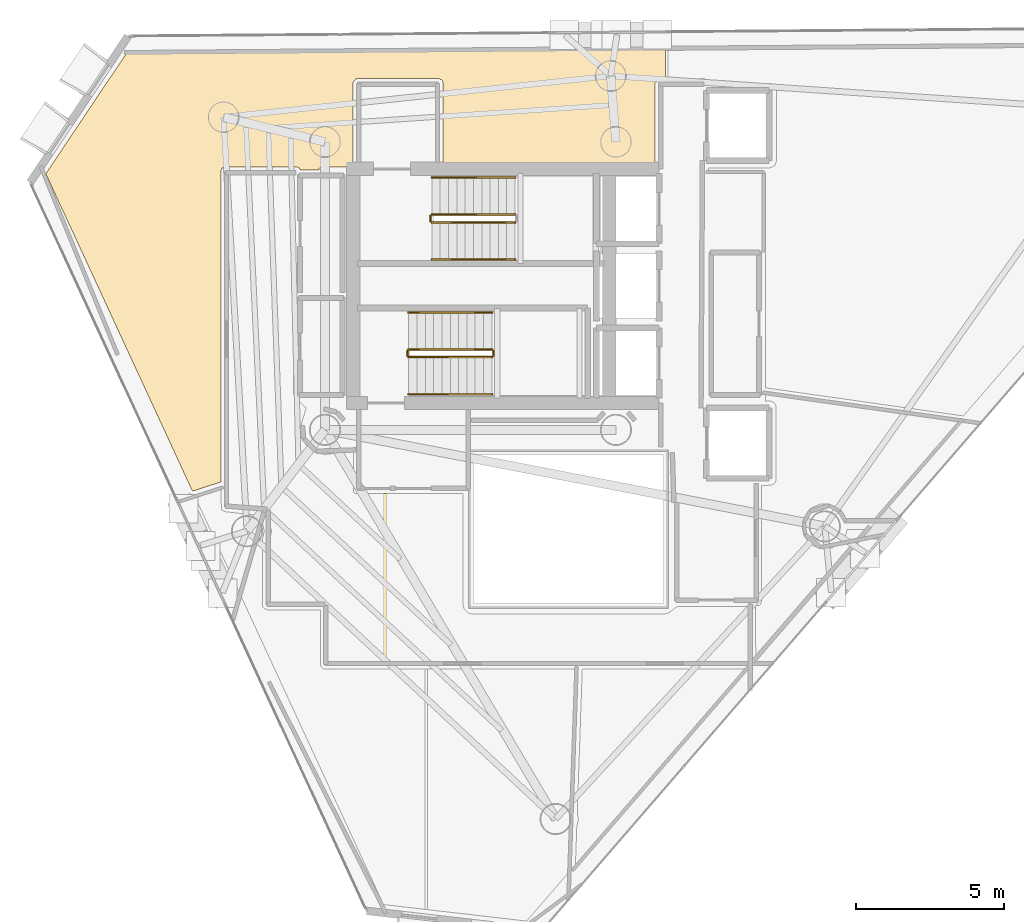
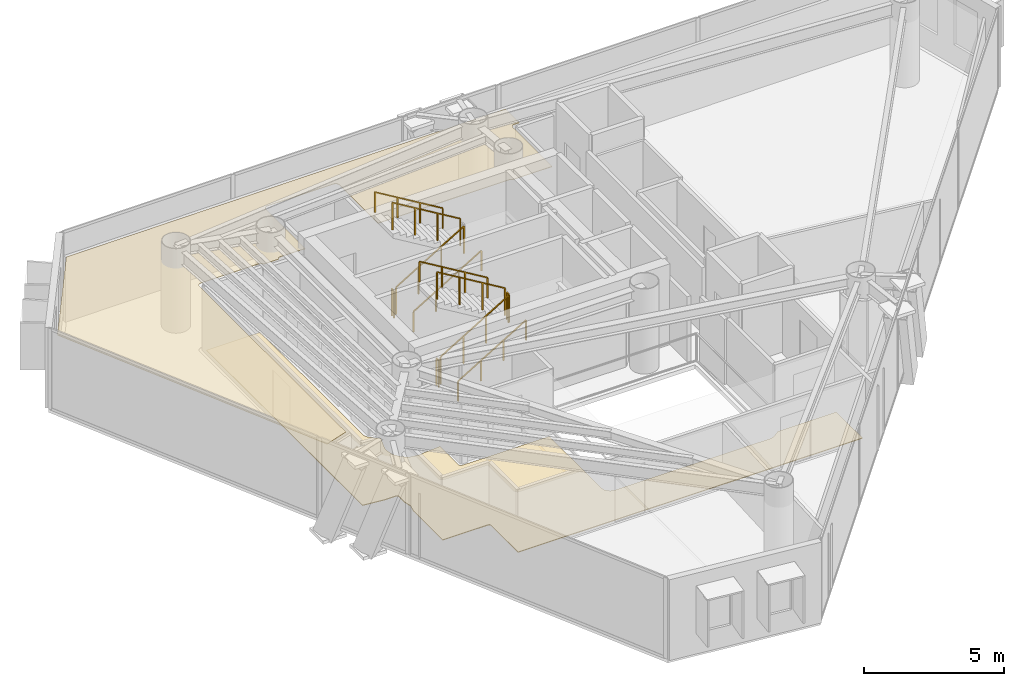
# One storey, part 19 of 21: 11 railings, 2 coverings.
"""IFC4 building model written with IfcOpenShell, lengths in metres."""

from ifc_helpers import new_model, si_unit, direction, frame, origin, origin_2d, place, context, subcontext, project, spatial, polyline, rectangle, outline, extrude, material, layer, layer_set, type_object, element, save


model = new_model("IFC4")

# Units and contexts
model_context = context("Model", 3, precision=1e-05, world=origin(), true_north=direction((0.0, 1.0)))
body_context = subcontext(model_context, "Body", "Model", "MODEL_VIEW")
ifc_project = project(units=[si_unit("LENGTHUNIT", "METRE"), si_unit("AREAUNIT", "SQUARE_METRE"), si_unit("VOLUMEUNIT", "CUBIC_METRE"), si_unit("PLANEANGLEUNIT", "RADIAN"), si_unit("MASSUNIT", "GRAM", prefix="KILO")], contexts=[model_context])

# Site, building, storey
site_placement = place(None, origin())
site = spatial("IfcSite", under=ifc_project, at=site_placement, CompositionType="ELEMENT")
building_placement = place(site_placement, origin())
building = spatial("IfcBuilding", under=site, at=building_placement, Name="Qianvela Tower", CompositionType="ELEMENT")
storey_placement = place(building_placement, frame((0.0, 0.0, 253.800048828125)))
storey = spatial("IfcBuildingStorey", under=building, at=storey_placement, Name="L65", CompositionType="ELEMENT", Elevation=253.800048828125)

# Coverings
ifc_material_1 = material(Name="Perforated Mineral Acoustic Ceiling Tile")
ifc_layer_1 = layer(ifc_material_1, 0.02490234375)
ifc_layer_set_1 = layer_set([ifc_layer_1], Name="Perforated Mineral Acoustic Ceiling Tile")
covering_type_1 = type_object("IfcCoveringType", Name="COV-CEIL-ACOUSTIC-25", PredefinedType="CEILING", material=ifc_layer_set_1)
covering_1_placement = place(storey_placement, frame((0.0, 0.0, 2.81494140625)))
element("IfcCovering", 1, at=covering_1_placement, inside=storey, type_object=covering_type_1, Name="L65 Acoustic Ceiling Bay 1 Print Copy Kiosk L65-04", PredefinedType="CEILING", context=body_context, shape_type="SweptSolid", body=[
    extrude(outline(polyline([(25.15576171875, 32.677001953125), (25.14892578125, 32.673095703125), (25.142578125, 32.66845703125), (25.136962890625, 32.6630859375), (25.131591796875, 32.6572265625), (25.126953125, 32.65087890625), (25.122802734375, 32.644287109375), (25.119384765625, 32.63720703125), (25.09619140625, 32.58056640625), (25.093505859375, 32.5732421875), (25.091552734375, 32.565673828125), (25.09033203125, 32.557861328125), (25.090087890625, 32.550048828125), (25.090087890625, 22.095947265625), (24.134765625, 21.78564453125), (19.19384765625, 32.478759765625), (21.895751953125, 36.512451171875), (40.07373046875, 36.654296875), (40.07373046875, 35.668701171875), (39.8349609375, 35.66650390625), (39.8271484375, 35.666015625), (39.8193359375, 35.664794921875), (39.81201171875, 35.662841796875), (39.804443359375, 35.660400390625), (39.797607421875, 35.656982421875), (39.791015625, 35.65283203125), (39.78466796875, 35.648193359375), (39.77880859375, 35.64306640625), (39.773681640625, 35.63720703125), (39.76904296875, 35.630859375), (39.764892578125, 35.624267578125), (39.7294921875, 35.5576171875), (39.72607421875, 35.550537109375), (39.723388671875, 35.543212890625), (39.721435546875, 35.53564453125), (39.720458984375, 35.52783203125), (39.719970703125, 35.52001953125), (39.719970703125, 32.719970703125), (38.125, 32.719970703125), (38.03369140625, 32.762451171875), (38.025634765625, 32.765625), (38.017333984375, 32.76806640625), (38.0087890625, 32.76953125), (38.0, 32.77001953125), (32.580078125, 32.77001953125), (32.580078125, 35.52001953125), (32.57958984375, 35.52783203125), (32.57861328125, 35.53564453125), (32.57666015625, 35.543212890625), (32.573974609375, 35.550537109375), (32.550537109375, 35.607177734375), (32.547119140625, 35.6142578125), (32.543212890625, 35.62109375), (32.538330078125, 35.627197265625), (32.533203125, 35.633056640625), (32.52734375, 35.638427734375), (32.52099609375, 35.64306640625), (32.514404296875, 35.647216796875), (32.507080078125, 35.650390625), (32.45068359375, 35.673828125), (32.443115234375, 35.676513671875), (32.435546875, 35.678466796875), (32.427734375, 35.6796875), (32.419921875, 35.679931640625), (29.684326171875, 35.678466796875), (29.676513671875, 35.677978515625), (29.668701171875, 35.677001953125), (29.6611328125, 35.675048828125), (29.65380859375, 35.67236328125), (29.646728515625, 35.6689453125), (29.639892578125, 35.6650390625), (29.633544921875, 35.660400390625), (29.627685546875, 35.655029296875), (29.62255859375, 35.649169921875), (29.55810546875, 35.57080078125), (29.553466796875, 35.564453125), (29.54931640625, 35.5576171875), (29.546142578125, 35.550537109375), (29.54345703125, 35.543212890625), (29.54150390625, 35.53564453125), (29.540283203125, 35.52783203125), (29.5400390625, 35.52001953125), (29.5400390625, 32.700439453125), (28.54296875, 32.709716796875), (28.53662109375, 32.70947265625), (28.530029296875, 32.708740234375), (28.4677734375, 32.69921875), (28.460205078125, 32.697509765625), (28.452880859375, 32.6953125), (28.446044921875, 32.6923828125), (28.439208984375, 32.688720703125), (28.432861328125, 32.6845703125), (28.427001953125, 32.6796875), (28.42138671875, 32.674560546875), (28.41650390625, 32.668701171875), (28.412109375, 32.662353515625), (28.408447265625, 32.65576171875), (28.405517578125, 32.648681640625), (28.403076171875, 32.6416015625), (28.4013671875, 32.634033203125), (28.400390625, 32.62646484375), (28.39892578125, 32.609619140625), (27.7626953125, 32.607666015625), (27.759521484375, 32.6201171875), (27.757080078125, 32.62744140625), (27.754150390625, 32.634765625), (27.75048828125, 32.6416015625), (27.74609375, 32.648193359375), (27.7412109375, 32.654296875), (27.735595703125, 32.659912109375), (27.7294921875, 32.6650390625), (27.722900390625, 32.66943359375), (27.716064453125, 32.673095703125), (27.654296875, 32.702392578125), (27.647705078125, 32.705078125), (27.64111328125, 32.707275390625), (27.634033203125, 32.708740234375), (27.627197265625, 32.709716796875), (27.6201171875, 32.7099609375), (25.25, 32.7099609375), (25.2421875, 32.709716796875), (25.234375, 32.70849609375), (25.226806640625, 32.70654296875), (25.219482421875, 32.703857421875), (25.162841796875, 32.680419921875), (25.15576171875, 32.677001953125)])), origin(), (0.0, 0.0, 1.0), 0.02490234375),
])
ifc_material_2 = material(Name="Honed Stone Terrazzo Flooring", Category="masonry")
ifc_layer_2 = layer(ifc_material_2, 0.030029296875)
ifc_layer_set_2 = layer_set([ifc_layer_2], Name="Honed Stone Terrazzo Flooring")
covering_type_2 = type_object("IfcCoveringType", Name="COV-FLOOR-TERRAZZO-30", PredefinedType="FLOORING", material=ifc_layer_set_2)
covering_2_placement = place(storey_placement, origin())
element("IfcCovering", 2, at=covering_2_placement, inside=storey, type_object=covering_type_2, Name="L65 Finish Flooring L65 Floor Corridor", PredefinedType="FLOORING", context=body_context, shape_type="SweptSolid", body=[
    extrude(outline(polyline([(27.792724609375, 24.0185546875), (27.791015625, 24.010986328125), (27.789794921875, 24.003173828125), (27.775390625, 23.85791015625), (27.77490234375, 23.85009765625), (27.775390625, 23.84228515625), (27.776611328125, 23.83447265625), (27.833251953125, 23.54931640625), (27.835205078125, 23.541748046875), (27.837890625, 23.5341796875), (27.84130859375, 23.527099609375), (27.84521484375, 23.5205078125), (28.006591796875, 23.27880859375), (28.011474609375, 23.2724609375), (28.0166015625, 23.2666015625), (28.0224609375, 23.261474609375), (28.02880859375, 23.256591796875), (28.2705078125, 23.09521484375), (28.277099609375, 23.09130859375), (28.2841796875, 23.087890625), (28.291748046875, 23.085205078125), (28.29931640625, 23.083251953125), (28.58447265625, 23.026611328125), (28.59228515625, 23.025390625), (28.60009765625, 23.02490234375), (28.60791015625, 23.025390625), (29.55810546875, 23.118896484375), (29.55810546875, 21.780029296875), (29.558349609375, 21.772216796875), (29.5595703125, 21.764404296875), (29.561279296875, 21.7568359375), (29.564208984375, 21.74951171875), (29.5673828125, 21.7421875), (29.571533203125, 21.735595703125), (29.576171875, 21.729248046875), (29.581298828125, 21.723388671875), (29.587158203125, 21.71826171875), (29.593505859375, 21.71337890625), (29.600341796875, 21.70947265625), (29.607421875, 21.7060546875), (29.61474609375, 21.703369140625), (29.622314453125, 21.701416015625), (29.630126953125, 21.700439453125), (29.637939453125, 21.699951171875), (33.239990234375, 21.699951171875), (33.239990234375, 18.0), (33.240478515625, 17.990234375), (33.242431640625, 17.980712890625), (33.275390625, 17.8486328125), (33.277587890625, 17.841796875), (33.2802734375, 17.8349609375), (33.283447265625, 17.82861328125), (33.287353515625, 17.822509765625), (33.29150390625, 17.81689453125), (33.29638671875, 17.811279296875), (33.411376953125, 17.696533203125), (33.41796875, 17.690673828125), (33.4248046875, 17.685791015625), (33.432373046875, 17.681396484375), (33.440185546875, 17.677978515625), (33.448486328125, 17.675537109375), (33.58056640625, 17.642333984375), (33.5869140625, 17.64111328125), (33.593505859375, 17.640380859375), (33.60009765625, 17.639892578125), (40.0, 17.639892578125), (40.006591796875, 17.640380859375), (40.012939453125, 17.64111328125), (40.019287109375, 17.642333984375), (40.1513671875, 17.675537109375), (40.15869140625, 17.677734375), (40.166015625, 17.6806640625), (40.172607421875, 17.68408203125), (40.17919921875, 17.6884765625), (40.459228515625, 17.89306640625), (42.8701171875, 17.89990234375), (42.8701171875, 16.030029296875), (28.679931640625, 16.030029296875), (28.679931640625, 17.949951171875), (28.6796875, 17.957763671875), (28.678466796875, 17.965576171875), (28.676513671875, 17.97314453125), (28.673828125, 17.980712890625), (28.670654296875, 17.98779296875), (28.66650390625, 17.994384765625), (28.661865234375, 18.000732421875), (28.656494140625, 18.006591796875), (28.65087890625, 18.01171875), (28.644287109375, 18.0166015625), (28.6376953125, 18.0205078125), (28.630615234375, 18.02392578125), (28.623291015625, 18.026611328125), (28.615478515625, 18.028564453125), (28.60791015625, 18.029541015625), (28.60009765625, 18.030029296875), (26.72998046875, 18.030029296875), (26.72998046875, 20.123779296875), (26.795166015625, 20.419921875), (26.79638671875, 20.42822265625), (26.797119140625, 20.43701171875), (26.79638671875, 20.44580078125), (26.795166015625, 20.4541015625), (26.72998046875, 20.75), (26.72998046875, 21.14990234375), (26.7294921875, 21.15771484375), (26.728515625, 21.16552734375), (26.7265625, 21.173095703125), (26.723876953125, 21.1806640625), (26.720703125, 21.187744140625), (26.716552734375, 21.1943359375), (26.7119140625, 21.20068359375), (26.70654296875, 21.20654296875), (26.70068359375, 21.2119140625), (26.6943359375, 21.216552734375), (26.687744140625, 21.220703125), (26.6806640625, 21.223876953125), (26.673095703125, 21.2265625), (26.66552734375, 21.228515625), (26.65771484375, 21.2294921875), (26.64990234375, 21.22998046875), (26.18017578125, 21.22998046875), (25.330078125, 21.32470703125), (25.330078125, 32.469970703125), (27.5400390625, 32.469970703125), (27.5400390625, 25.066650390625), (27.540283203125, 25.05908203125), (27.54150390625, 25.051513671875), (27.543212890625, 25.044189453125), (27.545654296875, 25.037109375), (27.548583984375, 25.0302734375), (27.604736328125, 24.919921875), (27.6083984375, 24.91357421875), (27.612548828125, 24.90771484375), (27.6171875, 24.902099609375), (27.622314453125, 24.89697265625), (27.965087890625, 24.58642578125), (27.792724609375, 24.0185546875)])), origin(), (0.0, 0.0, 1.0), 0.030029296875),
])

# Railings
ifc_material_3 = material(Name="Painted Tubular Steel Q355B", Category="steel")
railing_type_1 = type_object("IfcRailingType", Name="RL-STAIR-GUARD-1200", PredefinedType="GUARDRAIL", material=ifc_material_3)
railing_1_placement = place(storey_placement, frame((32.199951171875, 30.840087890625, 0.168212890625)))
element("IfcRailing", 3, at=railing_1_placement, inside=storey, type_object=railing_type_1, Name="L65 ST-1 stair guard 1", PredefinedType="GUARDRAIL", context=body_context, shape_type="SweptSolid", body=[
    extrude(rectangle(XDim=0.050048828125, YDim=0.0400390625, at=origin_2d()), frame((0.0, 0.0, 1.179931640625), z_axis=(0.857275202839, 0.0, 0.514858452973), x_axis=(0.0, 1.0, 0.0)), (0.0, 0.0, 1.0), 3.26611328125),
    extrude(rectangle(XDim=0.050048828125, YDim=0.050048828125, at=origin_2d()), origin(), (0.0, 0.0, 1.0), 1.159912109375),
    extrude(rectangle(XDim=0.050048828125, YDim=0.050048828125, at=origin_2d()), frame((0.933349609375, 0.0, 0.560546875)), (0.0, 0.0, 1.0), 1.159912109375),
    extrude(rectangle(XDim=0.050048828125, YDim=0.050048828125, at=origin_2d()), frame((1.86669921875, 0.0, 1.12109375)), (0.0, 0.0, 1.0), 1.159912109375),
    extrude(rectangle(XDim=0.050048828125, YDim=0.050048828125, at=origin_2d()), frame((2.800048828125, 0.0, 1.681640625)), (0.0, 0.0, 1.0), 1.159912109375),
])
railing_2_placement = place(storey_placement, frame((35.0, 31.10009765625, 2.01806640625)))
element("IfcRailing", 4, at=railing_2_placement, inside=storey, type_object=railing_type_1, Name="L65 ST-1 stair guard 3", PredefinedType="GUARDRAIL", context=body_context, shape_type="SweptSolid", body=[
    extrude(rectangle(XDim=0.050048828125, YDim=0.0400390625, at=origin_2d()), frame((0.0, 0.0, 1.179931640625), z_axis=(-0.857242210791, 0.0, 0.514913383045), x_axis=(0.0, -1.0, 0.0)), (0.0, 0.0, 1.0), 3.266357421875),
    extrude(rectangle(XDim=0.050048828125, YDim=0.050048828125, at=origin_2d()), origin(), (0.0, 0.0, 1.0), 1.159912109375),
    extrude(rectangle(XDim=0.050048828125, YDim=0.050048828125, at=origin_2d()), frame((-0.933349609375, 0.0, 0.560546875)), (0.0, 0.0, 1.0), 1.159912109375),
    extrude(rectangle(XDim=0.050048828125, YDim=0.050048828125, at=origin_2d()), frame((-1.86669921875, 0.0, 1.121337890625)), (0.0, 0.0, 1.0), 1.159912109375),
    extrude(rectangle(XDim=0.050048828125, YDim=0.050048828125, at=origin_2d()), frame((-2.800048828125, 0.0, 1.681884765625)), (0.0, 0.0, 1.0), 1.159912109375),
])
railing_3_placement = place(storey_placement, frame((32.14990234375, 30.889892578125, 0.0)))
element("IfcRailing", 5, at=railing_3_placement, inside=storey, type_object=railing_type_1, Name="L65 ST-1 stair guard 4", PredefinedType="GUARDRAIL", context=body_context, shape_type="SweptSolid", body=[
    extrude(rectangle(XDim=0.050048828125, YDim=0.0400390625, at=origin_2d()), frame((0.0, 0.0, 1.179931640625), z_axis=(0.0, 1.0, 0.0), x_axis=(-1.0, 0.0, 0.0)), (0.0, 0.0, 1.0), 0.16015625),
    extrude(rectangle(XDim=0.050048828125, YDim=0.050048828125, at=origin_2d()), origin(), (0.0, 0.0, 1.0), 1.159912109375),
    extrude(rectangle(XDim=0.050048828125, YDim=0.050048828125, at=origin_2d()), frame((0.0, 0.16015625, 0.0)), (0.0, 0.0, 1.0), 1.159912109375),
])
railing_4_placement = place(storey_placement, frame((31.419921875, 26.300048828125, 0.168212890625)))
element("IfcRailing", 6, at=railing_4_placement, inside=storey, type_object=railing_type_1, Name="L65 ST-2 stair guard 1", PredefinedType="GUARDRAIL", context=body_context, shape_type="SweptSolid", body=[
    extrude(rectangle(XDim=0.050048828125, YDim=0.0400390625, at=origin_2d()), frame((0.0, 0.0, 1.179931640625), z_axis=(0.857275202839, 0.0, 0.514858452973), x_axis=(0.0, 1.0, 0.0)), (0.0, 0.0, 1.0), 3.26611328125),
    extrude(rectangle(XDim=0.050048828125, YDim=0.050048828125, at=origin_2d()), origin(), (0.0, 0.0, 1.0), 1.159912109375),
    extrude(rectangle(XDim=0.050048828125, YDim=0.050048828125, at=origin_2d()), frame((0.933349609375, 0.0, 0.560546875)), (0.0, 0.0, 1.0), 1.159912109375),
    extrude(rectangle(XDim=0.050048828125, YDim=0.050048828125, at=origin_2d()), frame((1.86669921875, 0.0, 1.12109375)), (0.0, 0.0, 1.0), 1.159912109375),
    extrude(rectangle(XDim=0.050048828125, YDim=0.050048828125, at=origin_2d()), frame((2.800048828125, 0.0, 1.681640625)), (0.0, 0.0, 1.0), 1.159912109375),
])
railing_5_placement = place(storey_placement, frame((34.27001953125, 26.35009765625, 1.849853515625)))
element("IfcRailing", 7, at=railing_5_placement, inside=storey, type_object=railing_type_1, Name="L65 ST-2 stair guard 2", PredefinedType="GUARDRAIL", context=body_context, shape_type="SweptSolid", body=[
    extrude(rectangle(XDim=0.050048828125, YDim=0.0400390625, at=origin_2d()), frame((0.0, 0.0, 1.179931640625), z_axis=(0.0, 1.0, 0.0), x_axis=(-1.0, 0.0, 0.0)), (0.0, 0.0, 1.0), 0.159912109375),
    extrude(rectangle(XDim=0.050048828125, YDim=0.050048828125, at=origin_2d()), origin(), (0.0, 0.0, 1.0), 1.159912109375),
    extrude(rectangle(XDim=0.050048828125, YDim=0.050048828125, at=origin_2d()), frame((0.0, 0.159912109375, 0.0)), (0.0, 0.0, 1.0), 1.159912109375),
])
railing_6_placement = place(storey_placement, frame((34.219970703125, 26.56005859375, 2.01806640625)))
element("IfcRailing", 8, at=railing_6_placement, inside=storey, type_object=railing_type_1, Name="L65 ST-2 stair guard 3", PredefinedType="GUARDRAIL", context=body_context, shape_type="SweptSolid", body=[
    extrude(rectangle(XDim=0.050048828125, YDim=0.0400390625, at=origin_2d()), frame((0.0, 0.0, 1.179931640625), z_axis=(-0.857242210791, 0.0, 0.514913383045), x_axis=(0.0, -1.0, 0.0)), (0.0, 0.0, 1.0), 3.266357421875),
    extrude(rectangle(XDim=0.050048828125, YDim=0.050048828125, at=origin_2d()), origin(), (0.0, 0.0, 1.0), 1.159912109375),
    extrude(rectangle(XDim=0.050048828125, YDim=0.050048828125, at=origin_2d()), frame((-0.933349609375, 0.0, 0.560546875)), (0.0, 0.0, 1.0), 1.159912109375),
    extrude(rectangle(XDim=0.050048828125, YDim=0.050048828125, at=origin_2d()), frame((-1.86669921875, 0.0, 1.121337890625)), (0.0, 0.0, 1.0), 1.159912109375),
    extrude(rectangle(XDim=0.050048828125, YDim=0.050048828125, at=origin_2d()), frame((-2.800048828125, 0.0, 1.681884765625)), (0.0, 0.0, 1.0), 1.159912109375),
])
railing_7_placement = place(storey_placement, frame((31.3701171875, 26.35009765625, 0.0)))
element("IfcRailing", 9, at=railing_7_placement, inside=storey, type_object=railing_type_1, Name="L65 ST-2 stair guard 4", PredefinedType="GUARDRAIL", context=body_context, shape_type="SweptSolid", body=[
    extrude(rectangle(XDim=0.050048828125, YDim=0.0400390625, at=origin_2d()), frame((0.0, 0.0, 1.179931640625), z_axis=(0.0, 1.0, 0.0), x_axis=(-1.0, 0.0, 0.0)), (0.0, 0.0, 1.0), 0.159912109375),
    extrude(rectangle(XDim=0.050048828125, YDim=0.050048828125, at=origin_2d()), origin(), (0.0, 0.0, 1.0), 1.159912109375),
    extrude(rectangle(XDim=0.050048828125, YDim=0.050048828125, at=origin_2d()), frame((0.0, 0.159912109375, 0.0)), (0.0, 0.0, 1.0), 1.159912109375),
])
ifc_material_4 = material(Name="Brushed Stainless Steel 304", Category="steel")
railing_type_2 = type_object("IfcRailingType", Name="RL-STAIR-HANDRAIL-900", PredefinedType="HANDRAIL", material=ifc_material_4)
railing_8_placement = place(storey_placement, frame((32.199951171875, 29.590087890625, 0.168212890625)))
element("IfcRailing", 10, at=railing_8_placement, inside=storey, type_object=railing_type_2, Name="L65 ST-1 stair handrail 1", PredefinedType="HANDRAIL", context=body_context, shape_type="SweptSolid", body=[
    extrude(rectangle(XDim=0.050048828125, YDim=0.0400390625, at=origin_2d()), frame((0.0, 0.0, 0.8798828125), z_axis=(0.857275202839, 0.0, 0.514858452973), x_axis=(0.0, 1.0, 0.0)), (0.0, 0.0, 1.0), 3.26611328125),
    extrude(rectangle(XDim=0.050048828125, YDim=0.050048828125, at=origin_2d()), origin(), (0.0, 0.0, 1.0), 0.85986328125),
    extrude(rectangle(XDim=0.050048828125, YDim=0.050048828125, at=origin_2d()), frame((0.933349609375, 0.0, 0.560546875)), (0.0, 0.0, 1.0), 0.85986328125),
    extrude(rectangle(XDim=0.050048828125, YDim=0.050048828125, at=origin_2d()), frame((1.86669921875, 0.0, 1.12109375)), (0.0, 0.0, 1.0), 0.85986328125),
    extrude(rectangle(XDim=0.050048828125, YDim=0.050048828125, at=origin_2d()), frame((2.800048828125, 0.0, 1.681640625)), (0.0, 0.0, 1.0), 0.85986328125),
])
railing_9_placement = place(storey_placement, frame((35.0, 32.35009765625, 2.01806640625)))
element("IfcRailing", 11, at=railing_9_placement, inside=storey, type_object=railing_type_2, Name="L65 ST-1 stair handrail 2", PredefinedType="HANDRAIL", context=body_context, shape_type="SweptSolid", body=[
    extrude(rectangle(XDim=0.050048828125, YDim=0.0400390625, at=origin_2d()), frame((0.0, 0.0, 0.8798828125), z_axis=(-0.857242210791, 0.0, 0.514913383045), x_axis=(0.0, -1.0, 0.0)), (0.0, 0.0, 1.0), 3.266357421875),
    extrude(rectangle(XDim=0.050048828125, YDim=0.050048828125, at=origin_2d()), origin(), (0.0, 0.0, 1.0), 0.85986328125),
    extrude(rectangle(XDim=0.050048828125, YDim=0.050048828125, at=origin_2d()), frame((-0.933349609375, 0.0, 0.560546875)), (0.0, 0.0, 1.0), 0.85986328125),
    extrude(rectangle(XDim=0.050048828125, YDim=0.050048828125, at=origin_2d()), frame((-1.86669921875, 0.0, 1.121337890625)), (0.0, 0.0, 1.0), 0.85986328125),
    extrude(rectangle(XDim=0.050048828125, YDim=0.050048828125, at=origin_2d()), frame((-2.800048828125, 0.0, 1.681884765625)), (0.0, 0.0, 1.0), 0.85986328125),
])
railing_10_placement = place(storey_placement, frame((31.419921875, 25.050048828125, 0.168212890625)))
element("IfcRailing", 12, at=railing_10_placement, inside=storey, type_object=railing_type_2, Name="L65 ST-2 stair handrail 1", PredefinedType="HANDRAIL", context=body_context, shape_type="SweptSolid", body=[
    extrude(rectangle(XDim=0.050048828125, YDim=0.0400390625, at=origin_2d()), frame((0.0, 0.0, 0.8798828125), z_axis=(0.857275202839, 0.0, 0.514858452973), x_axis=(0.0, 1.0, 0.0)), (0.0, 0.0, 1.0), 3.26611328125),
    extrude(rectangle(XDim=0.050048828125, YDim=0.050048828125, at=origin_2d()), origin(), (0.0, 0.0, 1.0), 0.85986328125),
    extrude(rectangle(XDim=0.050048828125, YDim=0.050048828125, at=origin_2d()), frame((0.933349609375, 0.0, 0.560546875)), (0.0, 0.0, 1.0), 0.85986328125),
    extrude(rectangle(XDim=0.050048828125, YDim=0.050048828125, at=origin_2d()), frame((1.86669921875, 0.0, 1.12109375)), (0.0, 0.0, 1.0), 0.85986328125),
    extrude(rectangle(XDim=0.050048828125, YDim=0.050048828125, at=origin_2d()), frame((2.800048828125, 0.0, 1.681640625)), (0.0, 0.0, 1.0), 0.85986328125),
])
railing_11_placement = place(storey_placement, frame((34.219970703125, 27.81005859375, 2.01806640625)))
element("IfcRailing", 13, at=railing_11_placement, inside=storey, type_object=railing_type_2, Name="L65 ST-2 stair handrail 2", PredefinedType="HANDRAIL", context=body_context, shape_type="SweptSolid", body=[
    extrude(rectangle(XDim=0.050048828125, YDim=0.0400390625, at=origin_2d()), frame((0.0, 0.0, 0.8798828125), z_axis=(-0.857242210791, 0.0, 0.514913383045), x_axis=(0.0, -1.0, 0.0)), (0.0, 0.0, 1.0), 3.266357421875),
    extrude(rectangle(XDim=0.050048828125, YDim=0.050048828125, at=origin_2d()), origin(), (0.0, 0.0, 1.0), 0.85986328125),
    extrude(rectangle(XDim=0.050048828125, YDim=0.050048828125, at=origin_2d()), frame((-0.933349609375, 0.0, 0.560546875)), (0.0, 0.0, 1.0), 0.85986328125),
    extrude(rectangle(XDim=0.050048828125, YDim=0.050048828125, at=origin_2d()), frame((-1.86669921875, 0.0, 1.121337890625)), (0.0, 0.0, 1.0), 0.85986328125),
    extrude(rectangle(XDim=0.050048828125, YDim=0.050048828125, at=origin_2d()), frame((-2.800048828125, 0.0, 1.681884765625)), (0.0, 0.0, 1.0), 0.85986328125),
])

save(model, "model.ifc")
